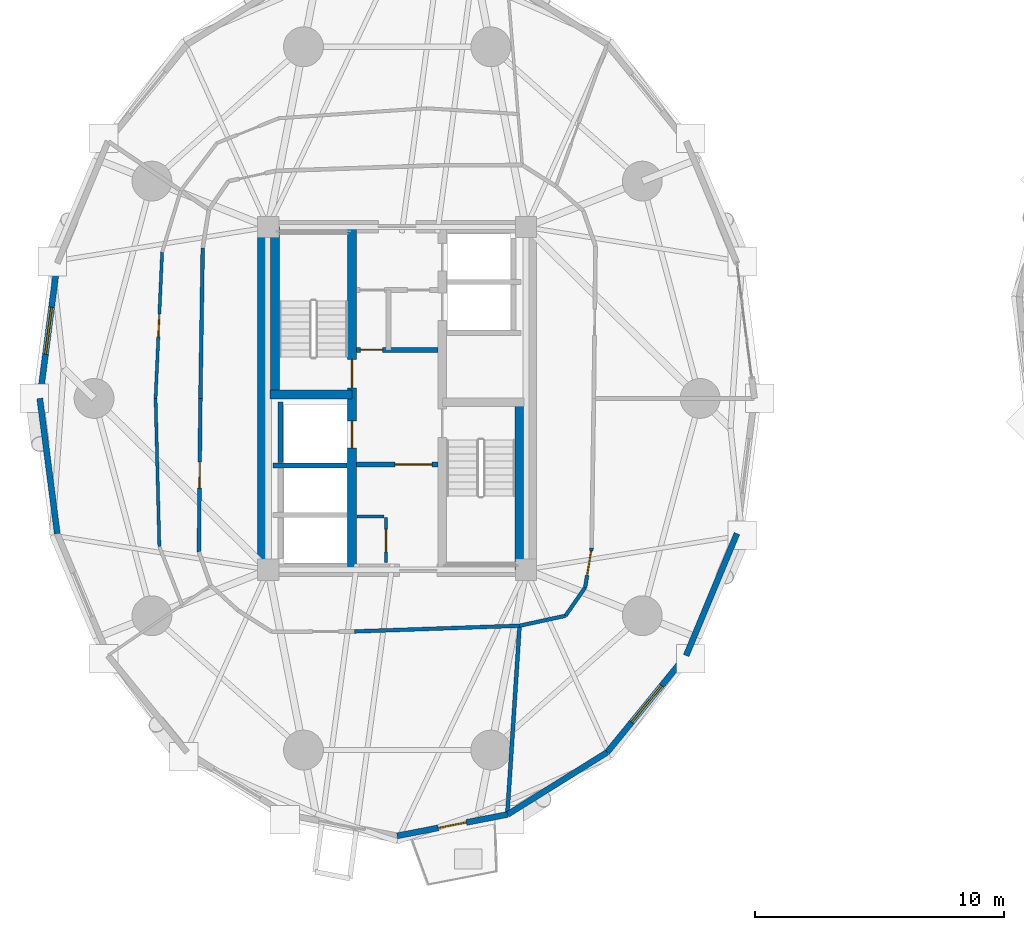
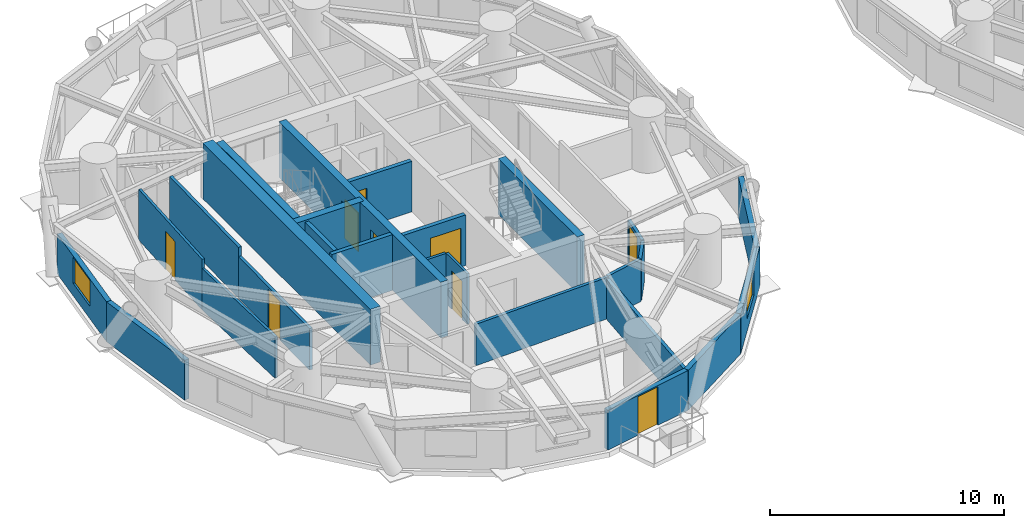
# One storey, part 10 of 18: 26 walls, 9 doors, 2 windows, 11 openings.
"""IFC4 building model written with IfcOpenShell, lengths in metres."""

from ifc_helpers import new_model, si_unit, direction, frame, frame_2d, origin, place, context, subcontext, project, spatial, rectangle, extrude, source, transform, mapped, material, layer, layer_set, type_object, element, fill, save


model = new_model("IFC4")

# Units and contexts
model_context = context("Model", 3, precision=1e-05, world=origin(), true_north=direction((0.0, 1.0)))
body_context = subcontext(model_context, "Body", "Model", "MODEL_VIEW")
ifc_project = project(units=[si_unit("LENGTHUNIT", "METRE"), si_unit("AREAUNIT", "SQUARE_METRE"), si_unit("VOLUMEUNIT", "CUBIC_METRE"), si_unit("PLANEANGLEUNIT", "RADIAN"), si_unit("MASSUNIT", "GRAM", prefix="KILO")], contexts=[model_context])

# Site, building, storey
site_placement = place(None, origin())
site = spatial("IfcSite", under=ifc_project, at=site_placement, CompositionType="ELEMENT")
building_placement = place(site_placement, origin())
building = spatial("IfcBuilding", under=site, at=building_placement, Name="Cununo Teusaquillo Station Towers", CompositionType="ELEMENT")
storey_placement = place(building_placement, frame((0.0, 0.0, 22.0)))
storey = spatial("IfcBuildingStorey", under=building, at=storey_placement, Name="L05", CompositionType="ELEMENT", Elevation=22.0)

# Walls
ifc_material_1 = material(Name="Concrete C50/60", Category="concrete")
ifc_layer_1 = layer(ifc_material_1, 0.199951171875)
ifc_layer_set_1 = layer_set([ifc_layer_1], Name="Concrete C50/60")
wall_type_1 = type_object("IfcWallType", Name="WL-CORE-200", PredefinedType="SHEAR", material=ifc_layer_set_1)
wall_1_placement = place(storey_placement, frame((11.52001953125, 21.800048828125, 0.0), z_axis=(0.0, 0.0, 1.0), x_axis=(1.0, 0.0, 0.0)))
element("IfcWall", 1, at=wall_1_placement, inside=storey, type_object=wall_type_1, Name="L05 Tower A Firefighting Lift Shaft South Shear Wall", PredefinedType="SHEAR", context=body_context, shape_type="SweptSolid", body=[
    extrude(rectangle(XDim=2.969970703125, YDim=0.199951171875, at=frame_2d((1.48486328125, 0.0))), origin(), (0.0, 0.0, 1.0), 2.909912109375),
])
wall_2_placement = place(storey_placement, frame((11.820068359375, 21.919921875, 0.0), z_axis=(0.0, 0.0, 1.0), x_axis=(0.0, 1.0, 0.0)))
element("IfcWall", 2, at=wall_2_placement, inside=storey, type_object=wall_type_1, Name="L05 Tower A Firefighting Lift Shaft Rear Shear Wall", PredefinedType="SHEAR", context=body_context, shape_type="SweptSolid", body=[
    extrude(rectangle(XDim=2.440185546875, YDim=0.199951171875, at=frame_2d((1.22021484375, 0.0))), origin(), (0.0, 0.0, 1.0), 2.909912109375),
])

# Wall, openings, doors
ifc_material_2 = material(Name="Concrete C50/60", Category="concrete")
ifc_layer_2 = layer(ifc_material_2, 0.35009765625)
ifc_layer_set_2 = layer_set([ifc_layer_2], Name="Concrete C50/60")
wall_type_2 = type_object("IfcWallType", Name="WL-CORE-350", PredefinedType="SHEAR", material=ifc_layer_set_2)
wall_3_placement = place(storey_placement, frame((14.68505859375, 17.60009765625, 0.0), z_axis=(0.0, 0.0, 1.0), x_axis=(0.0, 1.0, 0.0)))
wall_3 = element("IfcWall", 3, at=wall_3_placement, inside=storey, type_object=wall_type_2, Name="L05 Tower A Core Shear Wall IW", PredefinedType="SHEAR", context=body_context, shape_type="SweptSolid", body=[
    extrude(rectangle(XDim=13.7998046875, YDim=0.35009765625, at=frame_2d((6.89990234375, 0.0))), origin(), (0.0, 0.0, 1.0), 2.909912109375),
])
shared_shape_1 = source(origin(), body_context, "Body", "SweptSolid", [
    extrude(rectangle(XDim=1.10009765625, YDim=2.014892578125, at=frame_2d((0.550048828125, 1.00732421875))), frame((0.0, 0.18505859375, 0.0), z_axis=(0.0, -1.0, 0.0), x_axis=(1.0, 0.0, 0.0)), (0.0, 0.0, 1.0), 0.3701171875),
])
opening_1_placement = place(wall_3_placement, frame((4.89990234375, 0.0, 0.0)))
opening_1 = element("IfcOpeningElement", 4, at=opening_1_placement, cuts=wall_3, Name="Opening LD-01", PredefinedType="OPENING", context=body_context, shape_type="MappedRepresentation", body=[
    mapped(shared_shape_1, transform((0.0, 0.0, 0.0), x_axis=(1.0, 0.0, 0.0), y_axis=(0.0, 1.0, 0.0), z_axis=(0.0, 0.0, 1.0), scale=1.0)),
])
shared_shape_2 = source(origin(), body_context, "Body", "SweptSolid", [
    extrude(rectangle(XDim=1.14990234375, YDim=2.02001953125, at=frame_2d((0.574951171875, 1.010009765625))), frame((0.0, 0.18505859375, 0.0), z_axis=(0.0, -1.0, 0.0), x_axis=(1.0, 0.0, 0.0)), (0.0, 0.0, 1.0), 0.3701171875),
])
opening_2_placement = place(wall_3_placement, frame((7.320068359375, 0.0, 0.0)))
opening_2 = element("IfcOpeningElement", 5, at=opening_2_placement, cuts=wall_3, Name="Opening D-ST1", PredefinedType="OPENING", context=body_context, shape_type="MappedRepresentation", body=[
    mapped(shared_shape_2, transform((0.0, 0.0, 0.0), x_axis=(1.0, 0.0, 0.0), y_axis=(0.0, 1.0, 0.0), z_axis=(0.0, 0.0, 1.0), scale=1.0)),
])
ifc_material_3 = material(Name="Galvanised fire-rated hollow steel door assembly", Category="steel")
door_type_1 = type_object("IfcDoorType", Name="DR-LIFT-1100", OperationType="SLIDING_TO_LEFT", PredefinedType="DOOR", material=ifc_material_3)
shared_shape_3 = source(origin(), body_context, "Body", "SweptSolid", [
    extrude(rectangle(XDim=1.10009765625, YDim=2.014892578125, at=frame_2d((0.550048828125, 1.00732421875))), frame((0.0, 0.02490234375, 0.0), z_axis=(0.0, -1.0, 0.0), x_axis=(1.0, 0.0, 0.0)), (0.0, 0.0, 1.0), 0.050048828125),
])
door_1_placement = place(opening_1_placement, origin())
door_1 = element("IfcDoor", 6, at=door_1_placement, inside=storey, type_object=door_type_1, Name="L05 Lift FL-T1 Sliding Landing Door", OperationType="SLIDING_TO_RIGHT", OverallHeight=2.014892578125, OverallWidth=1.10009765625, PredefinedType="DOOR", context=body_context, shape_type="MappedRepresentation", body=[
    mapped(shared_shape_3, transform((0.0, 0.0, 0.0), x_axis=(1.0, 0.0, 0.0), y_axis=(0.0, 1.0, 0.0), z_axis=(0.0, 0.0, 1.0), scale=1.0)),
])
fill(opening_1, door_1)
ifc_material_4 = material(Name="Galvanised fire-rated hollow steel door assembly", Category="steel")
door_type_2 = type_object("IfcDoorType", Name="DR-STAIR-1150", OperationType="NOTDEFINED", PredefinedType="DOOR", material=ifc_material_4)
shared_shape_4 = source(origin(), body_context, "Body", "SweptSolid", [
    extrude(rectangle(XDim=1.14990234375, YDim=2.02001953125, at=frame_2d((0.574951171875, 1.010009765625))), frame((0.0, 0.02490234375, 0.0), z_axis=(0.0, -1.0, 0.0), x_axis=(1.0, 0.0, 0.0)), (0.0, 0.0, 1.0), 0.050048828125),
])
door_2_placement = place(opening_2_placement, origin())
door_2 = element("IfcDoor", 7, at=door_2_placement, inside=storey, type_object=door_type_2, Name="L05 Tower A Exit Stair 1 Fire Door", OperationType="SINGLE_SWING_RIGHT", OverallHeight=2.02001953125, OverallWidth=1.14990234375, PredefinedType="DOOR", context=body_context, shape_type="MappedRepresentation", body=[
    mapped(shared_shape_4, transform((0.0, 0.0, 0.0), x_axis=(1.0, 0.0, 0.0), y_axis=(0.0, 1.0, 0.0), z_axis=(0.0, 0.0, 1.0), scale=1.0)),
])
fill(opening_2, door_2)

# Walls
wall_4_placement = place(storey_placement, frame((11.594970703125, 24.655029296875, 0.0), z_axis=(0.0, 0.0, 1.0), x_axis=(0.0, 1.0, 0.0)))
element("IfcWall", 8, at=wall_4_placement, inside=storey, type_object=wall_type_2, Name="L05 Tower A Core Shear Wall ST1W", PredefinedType="SHEAR", context=body_context, shape_type="SweptSolid", body=[
    extrude(rectangle(XDim=6.744873046875, YDim=0.35009765625, at=frame_2d((3.37255859375, 0.0))), origin(), (0.0, 0.0, 1.0), 2.909912109375),
])
wall_5_placement = place(storey_placement, frame((11.39990234375, 24.655029296875, 0.0), z_axis=(0.0, 0.0, 1.0), x_axis=(1.0, 0.0, 0.0)))
element("IfcWall", 9, at=wall_5_placement, inside=storey, type_object=wall_type_2, Name="L05 Tower A Core Shear Wall ST1S", PredefinedType="SHEAR", context=body_context, shape_type="SweptSolid", body=[
    extrude(rectangle(XDim=3.28515625, YDim=0.35009765625, at=frame_2d((1.642578125, 0.0))), origin(), (0.0, 0.0, 1.0), 2.909912109375),
])
wall_6_placement = place(storey_placement, frame((21.405029296875, 17.60009765625, 0.0), z_axis=(0.0, 0.0, 1.0), x_axis=(0.0, 1.0, 0.0)))
element("IfcWall", 10, at=wall_6_placement, inside=storey, type_object=wall_type_2, Name="L05 Tower A Core Shear Wall ST2E", PredefinedType="SHEAR", context=body_context, shape_type="SweptSolid", body=[
    extrude(rectangle(XDim=6.744873046875, YDim=0.35009765625, at=frame_2d((3.37255859375, 0.0))), origin(), (0.0, 0.0, 1.0), 2.909912109375),
])
ifc_material_5 = material(Name="Concrete C60/75", Category="concrete")
ifc_layer_3 = layer(ifc_material_5, 0.5)
ifc_layer_set_3 = layer_set([ifc_layer_3], Name="Concrete C60/75")
wall_type_3 = type_object("IfcWallType", Name="WL-CORE-500", PredefinedType="SHEAR", material=ifc_layer_set_3)
wall_7_placement = place(storey_placement, frame((11.14990234375, 17.35009765625, 0.0), z_axis=(0.0, 0.0, 1.0), x_axis=(0.0, 1.0, 0.0)))
element("IfcWall", 11, at=wall_7_placement, inside=storey, type_object=wall_type_3, Name="L05 Tower A Core Shear Wall W", PredefinedType="SHEAR", context=body_context, shape_type="SweptSolid", body=[
    extrude(rectangle(XDim=14.2998046875, YDim=0.5, at=frame_2d((7.14990234375, 0.0))), origin(), (0.0, 0.0, 1.0), 2.909912109375),
])

# Wall, opening, window
ifc_material_6 = material(Name="Precast concrete C40/50", Category="concrete")
ifc_layer_4 = layer(ifc_material_6, 0.239990234375)
ifc_layer_set_4 = layer_set([ifc_layer_4], Name="Precast concrete C40/50")
wall_type_4 = type_object("IfcWallType", Name="WL-EXT-240", PredefinedType="SOLIDWALL", material=ifc_layer_set_4)
wall_8_placement = place(storey_placement, frame((2.14892578125, 24.5, 0.0), z_axis=(0.0, 0.0, 1.0), x_axis=(0.128298189174, 0.991735637483, 0.0)))
wall_8 = element("IfcWall", 12, at=wall_8_placement, inside=storey, type_object=wall_type_4, Name="L05 Tower A Exterior Facade Wall C09", PredefinedType="SOLIDWALL", context=body_context, shape_type="SweptSolid", body=[
    extrude(rectangle(XDim=5.474609375, YDim=0.239990234375, at=frame_2d((2.7373046875, 0.0))), origin(), (0.0, 0.0, 1.0), 2.072998046875),
])
shared_shape_5 = source(origin(), body_context, "Body", "SweptSolid", [
    extrude(rectangle(XDim=1.89990234375, YDim=1.35009765625, at=frame_2d((0.949951171875, 0.675048828125))), frame((0.0, 0.1298828125, 0.0), z_axis=(0.0, -1.0, 0.0), x_axis=(1.0, 0.0, 0.0)), (0.0, 0.0, 1.0), 0.260009765625),
])
opening_3_placement = place(wall_8_placement, frame((1.787109375, 0.0, 0.64990234375)))
opening_3 = element("IfcOpeningElement", 13, at=opening_3_placement, cuts=wall_8, Name="Opening WN-02", PredefinedType="OPENING", context=body_context, shape_type="MappedRepresentation", body=[
    mapped(shared_shape_5, transform((0.0, 0.0, 0.0), x_axis=(1.0, 0.0, 0.0), y_axis=(0.0, 1.0, 0.0), z_axis=(0.0, 0.0, 1.0), scale=1.0)),
])
ifc_material_7 = material(Name="Operable acoustic tinted low-E double glazing", Category="glass")
window_type = type_object("IfcWindowType", Name="WIN-OPER-1900", PartitioningType="DOUBLE_PANEL_VERTICAL", PredefinedType="WINDOW", material=ifc_material_7)
shared_shape_6 = source(origin(), body_context, "Body", "SweptSolid", [
    extrude(rectangle(XDim=1.89990234375, YDim=1.35009765625, at=frame_2d((0.949951171875, 0.675048828125))), frame((0.0, 0.030029296875, 0.0), z_axis=(0.0, -1.0, 0.0), x_axis=(1.0, 0.0, 0.0)), (0.0, 0.0, 1.0), 0.06005859375),
])
window_1_placement = place(opening_3_placement, origin())
window_1 = element("IfcWindow", 14, at=window_1_placement, inside=storey, type_object=window_type, Name="L05 Tower A Facade Window C09", OverallHeight=1.35009765625, OverallWidth=1.89990234375, PartitioningType="DOUBLE_PANEL_VERTICAL", PredefinedType="WINDOW", context=body_context, shape_type="MappedRepresentation", body=[
    mapped(shared_shape_6, transform((0.0, 0.0, 0.0), x_axis=(1.0, 0.0, 0.0), y_axis=(0.0, 1.0, 0.0), z_axis=(0.0, 0.0, 1.0), scale=1.0)),
])
fill(opening_3, window_1)

# Wall
wall_9_placement = place(storey_placement, frame((2.851318359375, 19.070556640625, 0.0), z_axis=(0.0, 0.0, 1.0), x_axis=(-0.128298189174, 0.991735637483, 0.0)))
element("IfcWall", 15, at=wall_9_placement, inside=storey, type_object=wall_type_4, Name="L05 Tower A Exterior Facade Wall C10", PredefinedType="SOLIDWALL", context=body_context, shape_type="SweptSolid", body=[
    extrude(rectangle(XDim=5.474609375, YDim=0.239990234375, at=frame_2d((2.7373046875, 0.0))), origin(), (0.0, 0.0, 1.0), 2.072998046875),
])

# Wall, opening, door
wall_10_placement = place(storey_placement, frame((20.934814453125, 7.789794921875, 0.0), z_axis=(0.0, 0.0, 1.0), x_axis=(-0.981717351035, -0.190344536766, 0.0)))
wall_10 = element("IfcWall", 16, at=wall_10_placement, inside=storey, type_object=wall_type_4, Name="L05 Tower A Exterior Facade Wall C15", PredefinedType="SOLIDWALL", context=body_context, shape_type="SweptSolid", body=[
    extrude(rectangle(XDim=4.517333984375, YDim=0.239990234375, at=frame_2d((2.2587890625, 0.0))), origin(), (0.0, 0.0, 1.0), 2.072998046875),
])
shared_shape_7 = source(origin(), body_context, "Body", "SweptSolid", [
    extrude(rectangle(XDim=1.14990234375, YDim=2.0048828125, at=frame_2d((0.574951171875, 1.00244140625))), frame((0.0, 0.1298828125, 0.0), z_axis=(0.0, -1.0, 0.0), x_axis=(1.0, 0.0, 0.0)), (0.0, 0.0, 1.0), 0.260009765625),
])
opening_4_placement = place(wall_10_placement, frame((1.68408203125, 0.0, 0.0)))
opening_4 = element("IfcOpeningElement", 17, at=opening_4_placement, cuts=wall_10, Name="Opening ED-03", PredefinedType="OPENING", context=body_context, shape_type="MappedRepresentation", body=[
    mapped(shared_shape_7, transform((0.0, 0.0, 0.0), x_axis=(1.0, 0.0, 0.0), y_axis=(0.0, 1.0, 0.0), z_axis=(0.0, 0.0, 1.0), scale=1.0)),
])
ifc_material_8 = material(Name="Anodised dark bronze aluminium EN AW-6063-T6", Category="aluminium")
door_type_3 = type_object("IfcDoorType", Name="DR-EXT-BAL", OperationType="NOTDEFINED", PredefinedType="DOOR", material=ifc_material_8)
shared_shape_8 = source(origin(), body_context, "Body", "SweptSolid", [
    extrude(rectangle(XDim=1.14990234375, YDim=2.0048828125, at=frame_2d((0.574951171875, 1.00244140625))), frame((0.0, 0.02490234375, 0.0), z_axis=(0.0, -1.0, 0.0), x_axis=(1.0, 0.0, 0.0)), (0.0, 0.0, 1.0), 0.050048828125),
])
door_3_placement = place(opening_4_placement, origin())
door_3 = element("IfcDoor", 18, at=door_3_placement, inside=storey, type_object=door_type_3, Name="L05 Tower A Tree Balcony Door C15", OperationType="SINGLE_SWING_LEFT", OverallHeight=2.0048828125, OverallWidth=1.14990234375, PredefinedType="DOOR", context=body_context, shape_type="MappedRepresentation", body=[
    mapped(shared_shape_8, transform((0.0, 0.0, 0.0), x_axis=(1.0, 0.0, 0.0), y_axis=(0.0, 1.0, 0.0), z_axis=(0.0, 0.0, 1.0), scale=1.0)),
])
fill(opening_4, door_3)

# Wall
wall_11_placement = place(storey_placement, frame((24.935302734375, 10.28564453125, 0.0), z_axis=(0.0, 0.0, 1.0), x_axis=(-0.848422721916, -0.529319265601, 0.0)))
element("IfcWall", 19, at=wall_11_placement, inside=storey, type_object=wall_type_4, Name="L05 Tower A Exterior Facade Wall C16", PredefinedType="SOLIDWALL", context=body_context, shape_type="SweptSolid", body=[
    extrude(rectangle(XDim=4.715087890625, YDim=0.239990234375, at=frame_2d((2.357421875, 0.0))), origin(), (0.0, 0.0, 1.0), 2.072998046875),
])

# Wall, opening, window
wall_12_placement = place(storey_placement, frame((28.110107421875, 14.172607421875, 0.0), z_axis=(0.0, 0.0, 1.0), x_axis=(-0.632588557044, -0.774488035735, 0.0)))
wall_12 = element("IfcWall", 20, at=wall_12_placement, inside=storey, type_object=wall_type_4, Name="L05 Tower A Exterior Facade Wall C17", PredefinedType="SOLIDWALL", context=body_context, shape_type="SweptSolid", body=[
    extrude(rectangle(XDim=5.018798828125, YDim=0.239990234375, at=frame_2d((2.50927734375, 0.0))), origin(), (0.0, 0.0, 1.0), 2.072998046875),
])
opening_5_placement = place(wall_12_placement, frame((1.55908203125, 0.0, 0.64990234375)))
opening_5 = element("IfcOpeningElement", 21, at=opening_5_placement, cuts=wall_12, Name="Opening WN-02", PredefinedType="OPENING", context=body_context, shape_type="MappedRepresentation", body=[
    mapped(shared_shape_5, transform((0.0, 0.0, 0.0), x_axis=(1.0, 0.0, 0.0), y_axis=(0.0, 1.0, 0.0), z_axis=(0.0, 0.0, 1.0), scale=1.0)),
])
window_2_placement = place(opening_5_placement, origin())
window_2 = element("IfcWindow", 22, at=window_2_placement, inside=storey, type_object=window_type, Name="L05 Tower A Facade Window C17", OverallHeight=1.35009765625, OverallWidth=1.89990234375, PartitioningType="DOUBLE_PANEL_VERTICAL", PredefinedType="WINDOW", context=body_context, shape_type="MappedRepresentation", body=[
    mapped(shared_shape_6, transform((0.0, 0.0, 0.0), x_axis=(1.0, 0.0, 0.0), y_axis=(0.0, 1.0, 0.0), z_axis=(0.0, 0.0, 1.0), scale=1.0)),
])
fill(opening_5, window_2)

# Wall
wall_13_placement = place(storey_placement, frame((30.148681640625, 19.070556640625, 0.0), z_axis=(0.0, 0.0, 1.0), x_axis=(-0.384255919668, -0.923226618009, 0.0)))
element("IfcWall", 23, at=wall_13_placement, inside=storey, type_object=wall_type_4, Name="L05 Tower A Exterior Facade Wall C18", PredefinedType="SOLIDWALL", context=body_context, shape_type="SweptSolid", body=[
    extrude(rectangle(XDim=5.30517578125, YDim=0.239990234375, at=frame_2d((2.652587890625, 0.0))), origin(), (0.0, 0.0, 1.0), 2.072998046875),
])

# Wall, opening, door
ifc_material_9 = material(Name="Fire-rated gypsum plasterboard partition assembly", Category="gypsum")
ifc_layer_5 = layer(ifc_material_9, 0.125)
ifc_layer_set_5 = layer_set([ifc_layer_5], Name="Fire-rated gypsum plasterboard partition assembly")
wall_type_5 = type_object("IfcWallType", Name="WL-PART-125", PredefinedType="PARTITIONING", material=ifc_layer_set_5)
wall_14_placement = place(storey_placement, frame((16.050048828125, 17.919921875, 0.0), z_axis=(0.0, 0.0, 1.0), x_axis=(0.0, 1.0, 0.0)))
wall_14 = element("IfcWall", 24, at=wall_14_placement, inside=storey, type_object=wall_type_5, Name="L05 Tower A South-West Compact Store East Wall", PredefinedType="PARTITIONING", context=body_context, shape_type="SweptSolid", body=[
    extrude(rectangle(XDim=1.800048828125, YDim=0.125, at=frame_2d((0.89990234375, 0.0))), origin(), (0.0, 0.0, 1.0), 2.635009765625),
])
shared_shape_9 = source(origin(), body_context, "Body", "SweptSolid", [
    extrude(rectangle(XDim=0.89990234375, YDim=2.0048828125, at=frame_2d((0.449951171875, 1.00244140625))), frame((0.0, 0.072509765625, 0.0), z_axis=(0.0, -1.0, 0.0), x_axis=(1.0, 0.0, 0.0)), (0.0, 0.0, 1.0), 0.14501953125),
])
opening_6_placement = place(wall_14_placement, frame((0.419921875, 0.0, 0.0)))
opening_6 = element("IfcOpeningElement", 25, at=opening_6_placement, cuts=wall_14, Name="Opening D-SR1", PredefinedType="OPENING", context=body_context, shape_type="MappedRepresentation", body=[
    mapped(shared_shape_9, transform((0.0, 0.0, 0.0), x_axis=(1.0, 0.0, 0.0), y_axis=(0.0, 1.0, 0.0), z_axis=(0.0, 0.0, 1.0), scale=1.0)),
])
ifc_material_10 = material(Name="Galvanised fire-rated hollow steel door assembly", Category="steel")
door_type_4 = type_object("IfcDoorType", Name="DR-STORE-900", OperationType="NOTDEFINED", PredefinedType="DOOR", material=ifc_material_10)
shared_shape_10 = source(origin(), body_context, "Body", "SweptSolid", [
    extrude(rectangle(XDim=0.89990234375, YDim=2.0048828125, at=frame_2d((0.449951171875, 1.00244140625))), frame((0.0, 0.02490234375, 0.0), z_axis=(0.0, -1.0, 0.0), x_axis=(1.0, 0.0, 0.0)), (0.0, 0.0, 1.0), 0.050048828125),
])
door_4_placement = place(opening_6_placement, origin())
door_4 = element("IfcDoor", 26, at=door_4_placement, inside=storey, type_object=door_type_4, Name="L05 Tower A Core Electrical & Comms Store Door", OperationType="SINGLE_SWING_RIGHT", OverallHeight=2.0048828125, OverallWidth=0.89990234375, PredefinedType="DOOR", context=body_context, shape_type="MappedRepresentation", body=[
    mapped(shared_shape_10, transform((0.0, 0.0, 0.0), x_axis=(1.0, 0.0, 0.0), y_axis=(0.0, 1.0, 0.0), z_axis=(0.0, 0.0, 1.0), scale=1.0)),
])
fill(opening_6, door_4)

# Wall
wall_15_placement = place(storey_placement, frame((14.8798828125, 19.75, 0.0), z_axis=(0.0, 0.0, 1.0), x_axis=(1.0, 0.0, 0.0)))
element("IfcWall", 27, at=wall_15_placement, inside=storey, type_object=wall_type_5, Name="L05 Tower A South-West Compact Store North Wall", PredefinedType="PARTITIONING", context=body_context, shape_type="SweptSolid", body=[
    extrude(rectangle(XDim=1.10009765625, YDim=0.125, at=frame_2d((0.550048828125, 0.0))), origin(), (0.0, 0.0, 1.0), 2.635009765625),
])

# Wall, opening, door
wall_16_placement = place(storey_placement, frame((7.0625, 30.3701171875, 0.0), z_axis=(0.0, 0.0, 1.0), x_axis=(-0.044789476409, -0.998996447843, 0.0)))
wall_16 = element("IfcWall", 28, at=wall_16_placement, inside=storey, type_object=wall_type_5, Name="L05 Tower A Press & Broadcast Briefing Hall Concentric Partition Wall C09", PredefinedType="PARTITIONING", context=body_context, shape_type="SweptSolid", body=[
    extrude(rectangle(XDim=5.8759765625, YDim=0.125, at=frame_2d((2.93798828125, 0.0))), origin(), (0.0, 0.0, 1.0), 2.635009765625),
])
opening_7_placement = place(wall_16_placement, frame((2.488037109375, 0.0, 0.0)))
opening_7 = element("IfcOpeningElement", 29, at=opening_7_placement, cuts=wall_16, Name="Opening D-IN1", PredefinedType="OPENING", context=body_context, shape_type="MappedRepresentation", body=[
    mapped(shared_shape_9, transform((0.0, 0.0, 0.0), x_axis=(1.0, 0.0, 0.0), y_axis=(0.0, 1.0, 0.0), z_axis=(0.0, 0.0, 1.0), scale=1.0)),
])
ifc_material_11 = material(Name="Acoustic solid-core hardwood leaf assembly", Category="wood")
door_type_5 = type_object("IfcDoorType", Name="DR-INT-900", OperationType="NOTDEFINED", PredefinedType="DOOR", material=ifc_material_11)
door_5_placement = place(opening_7_placement, origin())
door_5 = element("IfcDoor", 30, at=door_5_placement, inside=storey, type_object=door_type_5, Name="L05 Tower A Press & Broadcast Briefing Hall Connecting Door", OperationType="SINGLE_SWING_LEFT", OverallHeight=2.0048828125, OverallWidth=0.89990234375, PredefinedType="DOOR", context=body_context, shape_type="MappedRepresentation", body=[
    mapped(shared_shape_10, transform((0.0, 0.0, 0.0), x_axis=(1.0, 0.0, 0.0), y_axis=(0.0, 1.0, 0.0), z_axis=(0.0, 0.0, 1.0), scale=1.0)),
])
fill(opening_7, door_5)

# Walls
wall_17_placement = place(storey_placement, frame((6.79931640625, 24.5, 0.0), z_axis=(0.0, 0.0, 1.0), x_axis=(0.02553283421, -0.999673984045, 0.0)))
element("IfcWall", 31, at=wall_17_placement, inside=storey, type_object=wall_type_5, Name="L05 Tower A Press & Broadcast Briefing Hall Concentric Partition Wall C10", PredefinedType="PARTITIONING", context=body_context, shape_type="SweptSolid", body=[
    extrude(rectangle(XDim=5.95703125, YDim=0.125, at=frame_2d((2.978515625, 0.0))), origin(), (0.0, 0.0, 1.0), 2.158935546875),
])
ifc_material_12 = material(Name="Fire-rated gypsum plasterboard partition assembly", Category="gypsum")
ifc_layer_6 = layer(ifc_material_12, 0.14990234375)
ifc_layer_set_6 = layer_set([ifc_layer_6], Name="Fire-rated gypsum plasterboard partition assembly")
wall_type_6 = type_object("IfcWallType", Name="WL-PART-150", PredefinedType="PARTITIONING", material=ifc_layer_set_6)
wall_18_placement = place(storey_placement, frame((8.692626953125, 30.544189453125, 0.0), z_axis=(0.0, 0.0, 1.0), x_axis=(-0.015307007986, -0.99988284089, 0.0)))
element("IfcWall", 32, at=wall_18_placement, inside=storey, type_object=wall_type_6, Name="L05 Tower A Corridor Ring Wall C09", PredefinedType="PARTITIONING", context=body_context, shape_type="SweptSolid", body=[
    extrude(rectangle(XDim=6.044921875, YDim=0.14990234375, at=frame_2d((3.0224609375, 0.0))), origin(), (0.0, 0.0, 1.0), 2.635009765625),
])

# Wall, opening, door
wall_19_placement = place(storey_placement, frame((8.60009765625, 24.5, 0.0), z_axis=(0.0, 0.0, 1.0), x_axis=(-0.010023665349, -0.999949761805, 0.0)))
wall_19 = element("IfcWall", 33, at=wall_19_placement, inside=storey, type_object=wall_type_6, Name="L05 Tower A Corridor Ring Wall C10", PredefinedType="PARTITIONING", context=body_context, shape_type="SweptSolid", body=[
    extrude(rectangle(XDim=6.162109375, YDim=0.14990234375, at=frame_2d((3.0810546875, 0.0))), origin(), (0.0, 0.0, 1.0), 2.158935546875),
])
shared_shape_11 = source(origin(), body_context, "Body", "SweptSolid", [
    extrude(rectangle(XDim=1.050048828125, YDim=2.014892578125, at=frame_2d((0.52490234375, 1.00732421875))), frame((0.0, 0.0849609375, 0.0), z_axis=(0.0, -1.0, 0.0), x_axis=(1.0, 0.0, 0.0)), (0.0, 0.0, 1.0), 0.169921875),
])
opening_8_placement = place(wall_19_placement, frame((2.55615234375, 0.0, 0.0)))
opening_8 = element("IfcOpeningElement", 34, at=opening_8_placement, cuts=wall_19, Name="Opening D-SU1", PredefinedType="OPENING", context=body_context, shape_type="MappedRepresentation", body=[
    mapped(shared_shape_11, transform((0.0, 0.0, 0.0), x_axis=(1.0, 0.0, 0.0), y_axis=(0.0, 1.0, 0.0), z_axis=(0.0, 0.0, 1.0), scale=1.0)),
])
ifc_material_13 = material(Name="Acoustic solid-core hardwood leaf assembly", Category="wood")
door_type_6 = type_object("IfcDoorType", Name="DR-SUITE-1050", OperationType="NOTDEFINED", PredefinedType="DOOR", material=ifc_material_13)
shared_shape_12 = source(origin(), body_context, "Body", "SweptSolid", [
    extrude(rectangle(XDim=1.050048828125, YDim=2.014892578125, at=frame_2d((0.52490234375, 1.00732421875))), frame((0.0, 0.02490234375, 0.0), z_axis=(0.0, -1.0, 0.0), x_axis=(1.0, 0.0, 0.0)), (0.0, 0.0, 1.0), 0.050048828125),
])
door_6_placement = place(opening_8_placement, origin())
door_6 = element("IfcDoor", 35, at=door_6_placement, inside=storey, type_object=door_type_6, Name="L05 Tower A Press & Broadcast Briefing Hall Entrance Door", OperationType="SINGLE_SWING_RIGHT", OverallHeight=2.014892578125, OverallWidth=1.050048828125, PredefinedType="DOOR", context=body_context, shape_type="MappedRepresentation", body=[
    mapped(shared_shape_12, transform((0.0, 0.0, 0.0), x_axis=(1.0, 0.0, 0.0), y_axis=(0.0, 1.0, 0.0), z_axis=(0.0, 0.0, 1.0), scale=1.0)),
])
fill(opening_8, door_6)

# Walls
wall_20_placement = place(storey_placement, frame((14.781005859375, 15.140625, 0.0), z_axis=(0.0, 0.0, 1.0), x_axis=(0.999407918707, 0.034406569513, 0.0)))
element("IfcWall", 36, at=wall_20_placement, inside=storey, type_object=wall_type_6, Name="L05 Tower A Corridor Ring Wall C15", PredefinedType="PARTITIONING", context=body_context, shape_type="SweptSolid", body=[
    extrude(rectangle(XDim=6.6416015625, YDim=0.14990234375, at=frame_2d((3.32080078125, 0.0))), origin(), (0.0, 0.0, 1.0), 2.158935546875),
])
wall_21_placement = place(storey_placement, frame((21.418701171875, 15.369140625, 0.0), z_axis=(0.0, 0.0, 1.0), x_axis=(0.977192701953, 0.212354475464, 0.0)))
element("IfcWall", 37, at=wall_21_placement, inside=storey, type_object=wall_type_6, Name="L05 Tower A Corridor Ring Wall C16", PredefinedType="PARTITIONING", context=body_context, shape_type="SweptSolid", body=[
    extrude(rectangle(XDim=1.8876953125, YDim=0.14990234375, at=frame_2d((0.94384765625, 0.0))), origin(), (0.0, 0.0, 1.0), 2.205078125),
])
wall_22_placement = place(storey_placement, frame((23.263427734375, 15.77001953125, 0.0), z_axis=(0.0, 0.0, 1.0), x_axis=(0.570743456919, 0.821128434768, 0.0)))
element("IfcWall", 38, at=wall_22_placement, inside=storey, type_object=wall_type_6, Name="L05 Tower A Corridor Ring Wall C17", PredefinedType="PARTITIONING", context=body_context, shape_type="SweptSolid", body=[
    extrude(rectangle(XDim=1.381591796875, YDim=0.14990234375, at=frame_2d((0.69091796875, 0.0))), origin(), (0.0, 0.0, 1.0), 2.158935546875),
])

# Wall, opening, door
wall_23_placement = place(storey_placement, frame((24.052001953125, 16.904541015625, 0.0), z_axis=(0.0, 0.0, 1.0), x_axis=(0.162091534225, 0.986775726562, 0.0)))
wall_23 = element("IfcWall", 39, at=wall_23_placement, inside=storey, type_object=wall_type_6, Name="L05 Tower A Corridor Ring Wall C18", PredefinedType="PARTITIONING", context=body_context, shape_type="SweptSolid", body=[
    extrude(rectangle(XDim=1.613037109375, YDim=0.14990234375, at=frame_2d((0.806640625, 0.0))), origin(), (0.0, 0.0, 1.0), 2.205078125),
])
shared_shape_13 = source(origin(), body_context, "Body", "SweptSolid", [
    extrude(rectangle(XDim=1.0, YDim=2.014892578125, at=frame_2d((0.5, 1.00732421875))), frame((0.0, 0.0849609375, 0.0), z_axis=(0.0, -1.0, 0.0), x_axis=(1.0, 0.0, 0.0)), (0.0, 0.0, 1.0), 0.169921875),
])
opening_9_placement = place(wall_23_placement, frame((0.492919921875, 0.0, 0.0)))
opening_9 = element("IfcOpeningElement", 40, at=opening_9_placement, cuts=wall_23, Name="Opening D-AC1", PredefinedType="OPENING", context=body_context, shape_type="MappedRepresentation", body=[
    mapped(shared_shape_13, transform((0.0, 0.0, 0.0), x_axis=(1.0, 0.0, 0.0), y_axis=(0.0, 1.0, 0.0), z_axis=(0.0, 0.0, 1.0), scale=1.0)),
])
ifc_material_14 = material(Name="Acoustic solid-core hardwood leaf assembly", Category="wood")
door_type_7 = type_object("IfcDoorType", Name="DR-ACC-1000", OperationType="NOTDEFINED", PredefinedType="DOOR", material=ifc_material_14)
shared_shape_14 = source(origin(), body_context, "Body", "SweptSolid", [
    extrude(rectangle(XDim=1.0, YDim=2.014892578125, at=frame_2d((0.5, 1.00732421875))), frame((0.0, 0.02490234375, 0.0), z_axis=(0.0, -1.0, 0.0), x_axis=(1.0, 0.0, 0.0)), (0.0, 0.0, 1.0), 0.050048828125),
])
door_7_placement = place(opening_9_placement, origin())
door_7 = element("IfcDoor", 41, at=door_7_placement, inside=storey, type_object=door_type_7, Name="L05 Tower A Public Accessible Restroom WC Entrance Door", OperationType="SINGLE_SWING_LEFT", OverallHeight=2.014892578125, OverallWidth=1.0, PredefinedType="DOOR", context=body_context, shape_type="MappedRepresentation", body=[
    mapped(shared_shape_14, transform((0.0, 0.0, 0.0), x_axis=(1.0, 0.0, 0.0), y_axis=(0.0, 1.0, 0.0), z_axis=(0.0, 0.0, 1.0), scale=1.0)),
])
fill(opening_9, door_7)

# Wall
ifc_material_15 = material(Name="Fire-rated gypsum plasterboard partition assembly", Category="gypsum")
ifc_layer_7 = layer(ifc_material_15, 0.159912109375)
ifc_layer_set_7 = layer_set([ifc_layer_7], Name="Fire-rated gypsum plasterboard partition assembly")
wall_type_7 = type_object("IfcWallType", Name="WL-PART-160", PredefinedType="PARTITIONING", material=ifc_layer_set_7)
wall_24_placement = place(storey_placement, frame((21.418701171875, 15.369140625, 0.0), z_axis=(0.0, 0.0, 1.0), x_axis=(-0.064709408161, -0.997904149954, 0.0)))
element("IfcWall", 42, at=wall_24_placement, inside=storey, type_object=wall_type_7, Name="L05 Tower A Radial Suite Partition R05", PredefinedType="PARTITIONING", context=body_context, shape_type="SweptSolid", body=[
    extrude(rectangle(XDim=7.575927734375, YDim=0.159912109375, at=frame_2d((3.7880859375, 0.0))), origin(), (0.0, 0.0, 1.0), 2.072998046875),
])

# Wall, opening, door
ifc_material_16 = material(Name="Fire-rated gypsum plasterboard partition assembly", Category="gypsum")
ifc_layer_8 = layer(ifc_material_16, 0.199951171875)
ifc_layer_set_8 = layer_set([ifc_layer_8], Name="Fire-rated gypsum plasterboard partition assembly")
wall_type_8 = type_object("IfcWallType", Name="WL-PART-200", PredefinedType="PARTITIONING", material=ifc_layer_set_8)
wall_25_placement = place(storey_placement, frame((14.860107421875, 21.85009765625, 0.0), z_axis=(0.0, 0.0, 1.0), x_axis=(1.0, 0.0, 0.0)))
wall_25 = element("IfcWall", 43, at=wall_25_placement, inside=storey, type_object=wall_type_8, Name="L05 Tower A Firefighting Lift Lobby South Fire Wall", PredefinedType="PARTITIONING", context=body_context, shape_type="SweptSolid", body=[
    extrude(rectangle(XDim=3.27978515625, YDim=0.199951171875, at=frame_2d((1.639892578125, 0.0))), origin(), (0.0, 0.0, 1.0), 2.635009765625),
])
shared_shape_15 = source(origin(), body_context, "Body", "SweptSolid", [
    extrude(rectangle(XDim=1.5, YDim=2.02001953125, at=frame_2d((0.75, 1.010009765625))), frame((0.0, 0.10986328125, 0.0), z_axis=(0.0, -1.0, 0.0), x_axis=(1.0, 0.0, 0.0)), (0.0, 0.0, 1.0), 0.219970703125),
])
opening_10_placement = place(wall_25_placement, frame((1.550048828125, 0.0, 0.0)))
opening_10 = element("IfcOpeningElement", 44, at=opening_10_placement, cuts=wall_25, Name="Opening D-LB1", PredefinedType="OPENING", context=body_context, shape_type="MappedRepresentation", body=[
    mapped(shared_shape_15, transform((0.0, 0.0, 0.0), x_axis=(1.0, 0.0, 0.0), y_axis=(0.0, 1.0, 0.0), z_axis=(0.0, 0.0, 1.0), scale=1.0)),
])
ifc_material_17 = material(Name="Galvanised fire-rated hollow steel door assembly", Category="steel")
door_type_8 = type_object("IfcDoorType", Name="DR-LOBBY-1500", OperationType="DOUBLE_DOOR_SINGLE_SWING", PredefinedType="DOOR", material=ifc_material_17)
shared_shape_16 = source(origin(), body_context, "Body", "SweptSolid", [
    extrude(rectangle(XDim=1.5, YDim=2.02001953125, at=frame_2d((0.75, 1.010009765625))), frame((0.0, 0.02490234375, 0.0), z_axis=(0.0, -1.0, 0.0), x_axis=(1.0, 0.0, 0.0)), (0.0, 0.0, 1.0), 0.050048828125),
])
door_8_placement = place(opening_10_placement, origin())
door_8 = element("IfcDoor", 45, at=door_8_placement, inside=storey, type_object=door_type_8, Name="L05 Tower A Firefighting Lift Lobby South Fire Door", OperationType="DOUBLE_DOOR_SINGLE_SWING", OverallHeight=2.02001953125, OverallWidth=1.5, PredefinedType="DOOR", context=body_context, shape_type="MappedRepresentation", body=[
    mapped(shared_shape_16, transform((0.0, 0.0, 0.0), x_axis=(1.0, 0.0, 0.0), y_axis=(0.0, 1.0, 0.0), z_axis=(0.0, 0.0, 1.0), scale=1.0)),
])
fill(opening_10, door_8)

wall_26_placement = place(storey_placement, frame((14.860107421875, 26.449951171875, 0.0), z_axis=(0.0, 0.0, 1.0), x_axis=(1.0, 0.0, 0.0)))
wall_26 = element("IfcWall", 46, at=wall_26_placement, inside=storey, type_object=wall_type_8, Name="L05 Tower A Firefighting Lift Lobby North Fire Wall", PredefinedType="PARTITIONING", context=body_context, shape_type="SweptSolid", body=[
    extrude(rectangle(XDim=3.27978515625, YDim=0.199951171875, at=frame_2d((1.639892578125, 0.0))), origin(), (0.0, 0.0, 1.0), 2.635009765625),
])
shared_shape_17 = source(origin(), body_context, "Body", "SweptSolid", [
    extrude(rectangle(XDim=0.89990234375, YDim=2.0048828125, at=frame_2d((0.449951171875, 1.00244140625))), frame((0.0, 0.10986328125, 0.0), z_axis=(0.0, -1.0, 0.0), x_axis=(1.0, 0.0, 0.0)), (0.0, 0.0, 1.0), 0.219970703125),
])
opening_11_placement = place(wall_26_placement, frame((0.159912109375, 0.0, 0.0)))
opening_11 = element("IfcOpeningElement", 47, at=opening_11_placement, cuts=wall_26, Name="Opening D-SR1", PredefinedType="OPENING", context=body_context, shape_type="MappedRepresentation", body=[
    mapped(shared_shape_17, transform((0.0, 0.0, 0.0), x_axis=(1.0, 0.0, 0.0), y_axis=(0.0, 1.0, 0.0), z_axis=(0.0, 0.0, 1.0), scale=1.0)),
])
door_9_placement = place(opening_11_placement, origin())
door_9 = element("IfcDoor", 48, at=door_9_placement, inside=storey, type_object=door_type_4, Name="L05 Tower A Stair 1 Protected Vestibule South Door", OperationType="SINGLE_SWING_RIGHT", OverallHeight=2.0048828125, OverallWidth=0.89990234375, PredefinedType="DOOR", context=body_context, shape_type="MappedRepresentation", body=[
    mapped(shared_shape_10, transform((0.0, 0.0, 0.0), x_axis=(1.0, 0.0, 0.0), y_axis=(0.0, 1.0, 0.0), z_axis=(0.0, 0.0, 1.0), scale=1.0)),
])
fill(opening_11, door_9)

save(model, "model.ifc")
